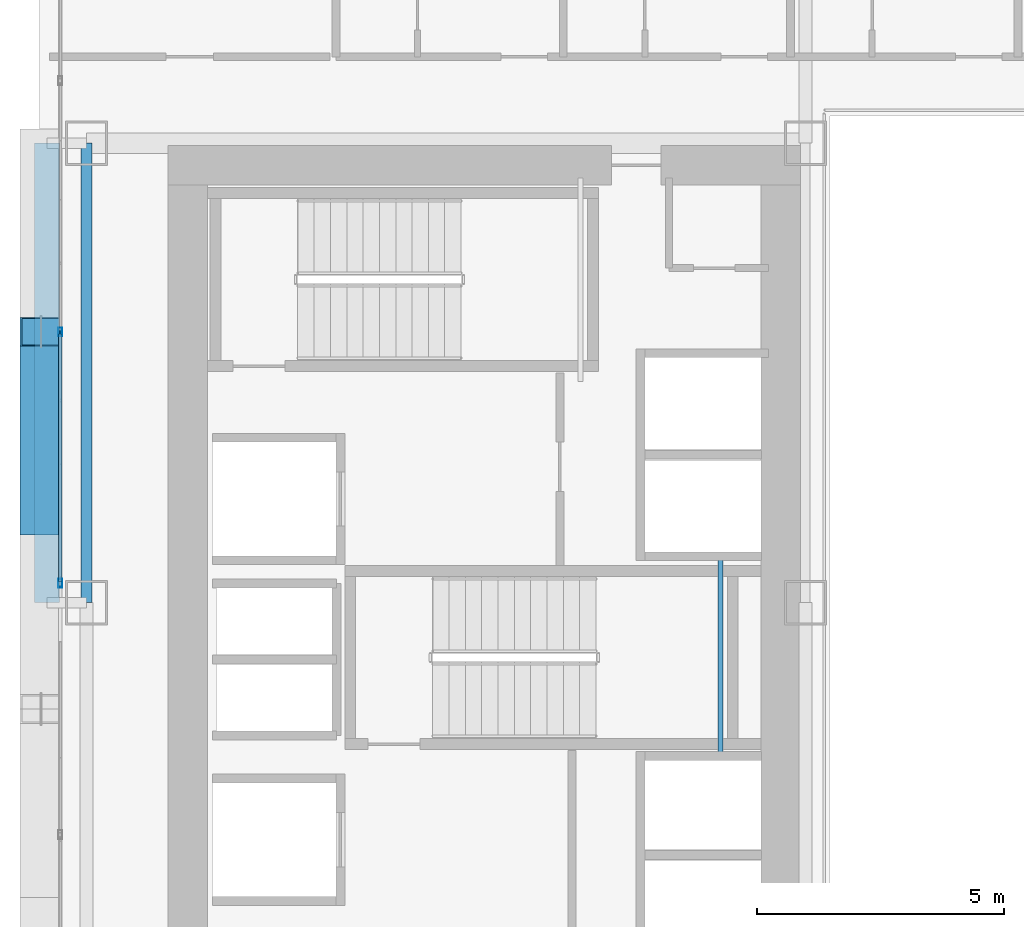
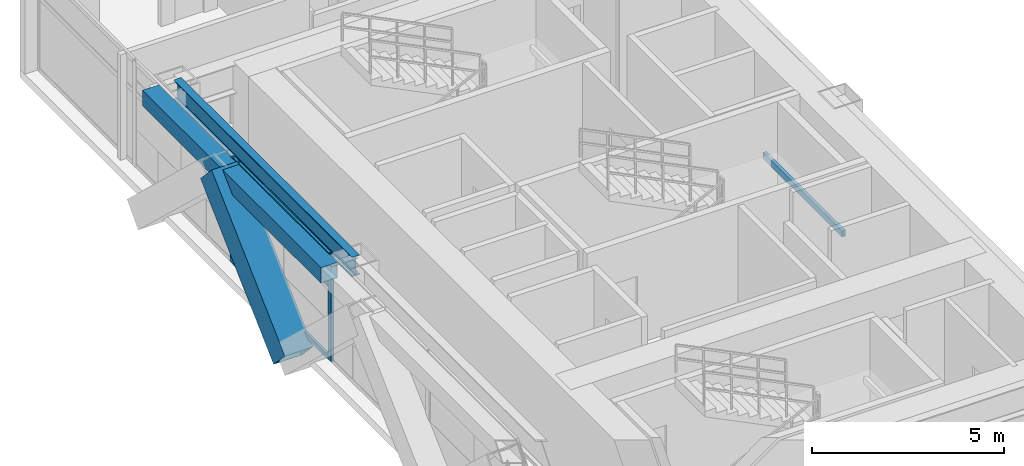
# One storey, part 8 of 36: 6 members, 3 beams, 1 element without a shape of its own.
"""IFC4 building model written with IfcOpenShell, lengths in metres."""

from ifc_helpers import new_model, si_unit, direction, frame, origin, origin_2d, place, context, subcontext, project, spatial, hollow_rectangle, i_section, extrude, source, transform, mapped, material, layer, layer_set, material_profile, profile_set, type_object, element, aggregate, save


model = new_model("IFC4")

# Units and contexts
model_context = context("Model", 3, precision=1e-05, world=origin(), true_north=direction((0.0, 1.0)))
body_context = subcontext(model_context, "Body", "Model", "MODEL_VIEW")
ifc_project = project(units=[si_unit("LENGTHUNIT", "METRE"), si_unit("AREAUNIT", "SQUARE_METRE"), si_unit("VOLUMEUNIT", "CUBIC_METRE"), si_unit("PLANEANGLEUNIT", "RADIAN"), si_unit("MASSUNIT", "GRAM", prefix="KILO")], contexts=[model_context])

# Site, building, storey
site_placement = place(None, origin())
site = spatial("IfcSite", under=ifc_project, at=site_placement, CompositionType="ELEMENT")
building_placement = place(site_placement, origin())
building = spatial("IfcBuilding", under=site, at=building_placement, Name="Ocotamira Hotel", CompositionType="ELEMENT")
storey_placement = place(building_placement, frame((0.0, 0.0, 42.0)))
storey = spatial("IfcBuildingStorey", under=building, at=storey_placement, Name="L09", CompositionType="ELEMENT", Elevation=42.0)

# Beams
ifc_material_1 = material(Name="Steel ASTM A500 Grade C", Category="steel")
ifc_material_profile_1 = material_profile(ifc_material_1, hollow_rectangle(XDim=0.10009765625, YDim=0.199951171875, WallThickness=0.008056640625, at=origin_2d()), Name="HSS200X100X8")
ifc_profile_set_1 = profile_set([ifc_material_profile_1], Name="Steel ASTM A500 Grade C")
beam_type_1 = type_object("IfcBeamType", Name="BM-STLDG-HSS200", PredefinedType="BEAM", material=ifc_profile_set_1)
shared_shape_1 = source(origin(), body_context, "Body", "SweptSolid", [
    extrude(hollow_rectangle(XDim=0.10009765625, YDim=0.199951171875, WallThickness=0.008056640625, at=origin_2d()), origin(), (0.0, 0.0, 1.0), 4.1201171875),
])
beam_1_placement = place(storey_placement, frame((21.780029296875, 24.97998046875, 1.5), z_axis=(0.0, 1.0, 0.0), x_axis=(-1.0, 0.0, 0.0)))
element("IfcBeam", 1, at=beam_1_placement, inside=storey, type_object=beam_type_1, Name="L09 Stair ST-3 Landing Bearer 1", PredefinedType="BEAM", context=body_context, shape_type="MappedRepresentation", body=[
    mapped(shared_shape_1, transform((0.0, 0.0, 0.0), scale=1.0)),
])
ifc_material_2 = material(Name="Steel ASTM A992 Grade 50", Category="steel")
ifc_material_profile_2 = material_profile(ifc_material_2, i_section(OverallWidth=0.22998046875, OverallDepth=0.616943359375, WebThickness=0.01318359375, FlangeThickness=0.022216796875, FilletRadius=0.012939453125, at=origin_2d()), Name="W24X94")
ifc_profile_set_2 = profile_set([ifc_material_profile_2], Name="Steel ASTM A992 Grade 50")
beam_type_2 = type_object("IfcBeamType", Name="BM-PRIM-W24X94", PredefinedType="BEAM", material=ifc_profile_set_2)
shared_shape_2 = source(origin(), body_context, "Body", "SweptSolid", [
    extrude(i_section(OverallWidth=0.22998046875, OverallDepth=0.616943359375, WebThickness=0.01318359375, FlangeThickness=0.022216796875, FilletRadius=0.012939453125, at=origin_2d()), origin(), (0.0, 0.0, 1.0), 9.300048828125),
])
beam_2_placement = place(storey_placement, frame((8.949951171875, 28.14990234375, 3.04150390625), z_axis=(0.0, 1.0, 0.0), x_axis=(-1.0, 0.0, 0.0)))
element("IfcBeam", 2, at=beam_2_placement, inside=storey, type_object=beam_type_2, Name="L09 Beam X8.95 Y28.15-37.45", PredefinedType="BEAM", context=body_context, shape_type="MappedRepresentation", body=[
    mapped(shared_shape_2, transform((0.0, 0.0, 0.0), scale=1.0)),
])
ifc_material_profile_3 = material_profile(ifc_material_1, hollow_rectangle(XDim=0.5, YDim=0.5, WallThickness=0.02001953125, at=origin_2d()), Name="HSS500X500X20")
ifc_profile_set_3 = profile_set([ifc_material_profile_3], Name="Steel ASTM A500 Grade C")
beam_type_3 = type_object("IfcBeamType", Name="BM-SPAN-HSS500", PredefinedType="USERDEFINED", material=ifc_profile_set_3)
shared_shape_3 = source(origin(), body_context, "Body", "SweptSolid", [
    extrude(hollow_rectangle(XDim=0.5, YDim=0.5, WallThickness=0.02001953125, at=origin_2d()), origin(), (0.0, 0.0, 1.0), 9.300048828125),
])
beam_3_placement = place(storey_placement, frame((8.14990234375, 28.14990234375, 3.10009765625), z_axis=(0.0, 1.0, 0.0), x_axis=(-1.0, 0.0, 0.0)))
element("IfcBeam", 3, at=beam_3_placement, inside=storey, type_object=beam_type_3, Name="L09 Edge Spandrel W Y28.15-37.45", ObjectType="SPANDREL", PredefinedType="USERDEFINED", context=body_context, shape_type="MappedRepresentation", body=[
    mapped(shared_shape_3, transform((0.0, 0.0, 0.0), scale=1.0)),
])

# Member
ifc_material_3 = material(Name="Pale-metal coated steel ASTM A913 Grade 65", Category="steel")
ifc_material_profile_4 = material_profile(ifc_material_3, hollow_rectangle(XDim=0.85009765625, YDim=0.85009765625, WallThickness=0.035888671875, at=origin_2d()), Name="BOX850X850X36")
ifc_profile_set_4 = profile_set([ifc_material_profile_4], Name="Pale-metal coated steel ASTM A913 Grade 65")
member_type_1 = type_object("IfcMemberType", Name="MEM-EXO-BOX850", PredefinedType="BRACE", material=ifc_profile_set_4)
shared_shape_4 = source(origin(), body_context, "Body", "SweptSolid", [
    extrude(hollow_rectangle(XDim=0.85009765625, YDim=0.85009765625, WallThickness=0.035888671875, at=origin_2d()), origin(), (0.0, 0.0, 1.0), 5.24658203125),
])
member_1_placement = place(storey_placement, frame((8.030029296875, 29.816650390625, -0.5), z_axis=(0.0, 0.727442733726, 0.686168397078), x_axis=(-1.0, 0.0, 0.0)))
element("IfcMember", 4, at=member_1_placement, inside=storey, type_object=member_type_1, Name="L09 Exoskeleton Diagrid W2.1", PredefinedType="BRACE", context=body_context, shape_type="MappedRepresentation", body=[
    mapped(shared_shape_4, transform((0.0, 0.0, 0.0), scale=1.0)),
])

# Curtain wall, members
ifc_material_4 = material(Name="Anodised pale-metal aluminium and solar glass", Category="aluminium")
ifc_layer = layer(ifc_material_4, 0.179931640625)
ifc_layer_set = layer_set([ifc_layer], Name="Anodised pale-metal aluminium and solar glass")
curtain_wall_type = type_object("IfcCurtainWallType", Name="CW-SYS2-Z1", PredefinedType="NOTDEFINED", material=ifc_layer_set)
curtain_wall_placement = place(storey_placement, origin())
curtain_wall = element("IfcCurtainWall", 5, at=curtain_wall_placement, inside=storey, type_object=curtain_wall_type, Name="L09 Curtain Wall CW-2 CW-L09-W", PredefinedType="NOTDEFINED")
ifc_material_5 = material(Name="Anodised pale-metal aluminium 6063-T6", Category="aluminium")
ifc_material_profile_5 = material_profile(ifc_material_5, hollow_rectangle(XDim=0.074951171875, YDim=0.14990234375, WallThickness=0.006103515625, at=origin_2d()), Name="HSS150X75X6")
ifc_profile_set_5 = profile_set([ifc_material_profile_5], Name="Anodised pale-metal aluminium 6063-T6")
member_type_2 = type_object("IfcMemberType", Name="CWT-150X75", PredefinedType="USERDEFINED", material=ifc_profile_set_5)
shared_shape_5 = source(origin(), body_context, "Body", "SweptSolid", [
    extrude(hollow_rectangle(XDim=0.074951171875, YDim=0.14990234375, WallThickness=0.006103515625, at=origin_2d()), origin(), (0.0, 0.0, 1.0), 5.005859375),
])
member_2_placement = place(storey_placement, frame((8.419921875, 28.582763671875, 0.03759765625), z_axis=(0.0, 1.0, 0.0), x_axis=(-1.0, 0.0, 0.0)))
member_2 = element("IfcMember", 6, at=member_2_placement, type_object=member_type_2, Name="CW-2 transom 5.1", ObjectType="TRANSOM", PredefinedType="USERDEFINED", context=body_context, shape_type="MappedRepresentation", body=[
    mapped(shared_shape_5, transform((0.0, 0.0, 0.0), scale=1.0)),
])
member_3_placement = place(storey_placement, frame((8.419921875, 28.582763671875, 2.35009765625), z_axis=(0.0, 1.0, 0.0), x_axis=(-1.0, 0.0, 0.0)))
member_3 = element("IfcMember", 7, at=member_3_placement, type_object=member_type_2, Name="CW-2 transom 5.2", ObjectType="TRANSOM", PredefinedType="USERDEFINED", context=body_context, shape_type="MappedRepresentation", body=[
    mapped(shared_shape_5, transform((0.0, 0.0, 0.0), scale=1.0)),
])
member_4_placement = place(storey_placement, frame((8.419921875, 28.582763671875, 3.3125), z_axis=(0.0, 1.0, 0.0), x_axis=(-1.0, 0.0, 0.0)))
member_4 = element("IfcMember", 8, at=member_4_placement, type_object=member_type_2, Name="CW-2 transom 5.3", ObjectType="TRANSOM", PredefinedType="USERDEFINED", context=body_context, shape_type="MappedRepresentation", body=[
    mapped(shared_shape_5, transform((0.0, 0.0, 0.0), scale=1.0)),
])
ifc_material_profile_6 = material_profile(ifc_material_5, hollow_rectangle(XDim=0.080078125, YDim=0.179931640625, WallThickness=0.006103515625, at=origin_2d()), Name="HSS180X80X6")
ifc_profile_set_6 = profile_set([ifc_material_profile_6], Name="Anodised pale-metal aluminium 6063-T6")
member_type_3 = type_object("IfcMemberType", Name="CWM-180X75", PredefinedType="MULLION", material=ifc_profile_set_6)
shared_shape_6 = source(origin(), body_context, "Body", "SweptSolid", [
    extrude(hollow_rectangle(XDim=0.080078125, YDim=0.179931640625, WallThickness=0.006103515625, at=origin_2d()), origin(), (0.0, 0.0, 1.0), 3.35009765625),
])
member_5_placement = place(storey_placement, frame((8.419921875, 28.54296875, 0.0), z_axis=(0.0, 0.0, 1.0), x_axis=(-1.0, 0.0, 0.0)))
member_5 = element("IfcMember", 9, at=member_5_placement, type_object=member_type_3, Name="CW-2 mullion 5", PredefinedType="MULLION", context=body_context, shape_type="MappedRepresentation", body=[
    mapped(shared_shape_6, transform((0.0, 0.0, 0.0), scale=1.0)),
])
member_6_placement = place(storey_placement, frame((8.419921875, 33.628662109375, 0.0), z_axis=(0.0, 0.0, 1.0), x_axis=(-1.0, 0.0, 0.0)))
member_6 = element("IfcMember", 10, at=member_6_placement, type_object=member_type_3, Name="CW-2 mullion 6", PredefinedType="MULLION", context=body_context, shape_type="MappedRepresentation", body=[
    mapped(shared_shape_6, transform((0.0, 0.0, 0.0), scale=1.0)),
])
aggregate(curtain_wall, [member_5, member_6, member_2, member_3, member_4])

save(model, "model.ifc")
